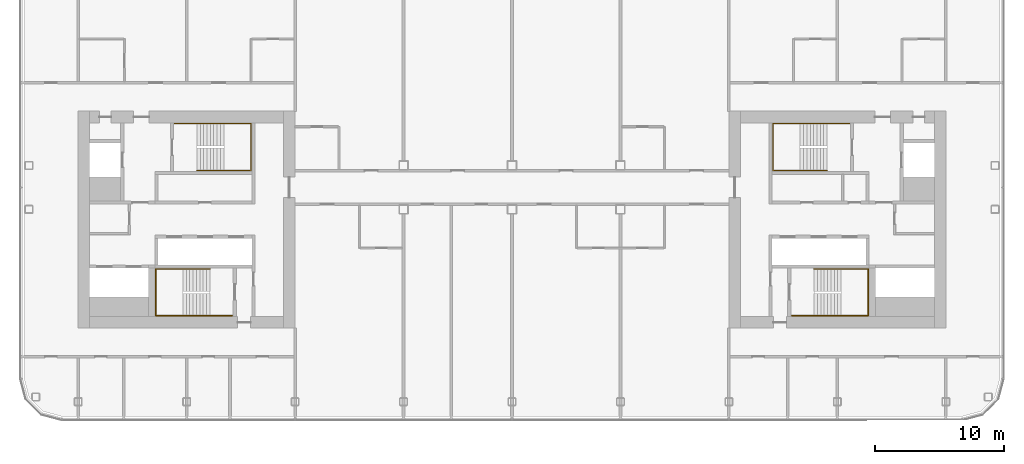
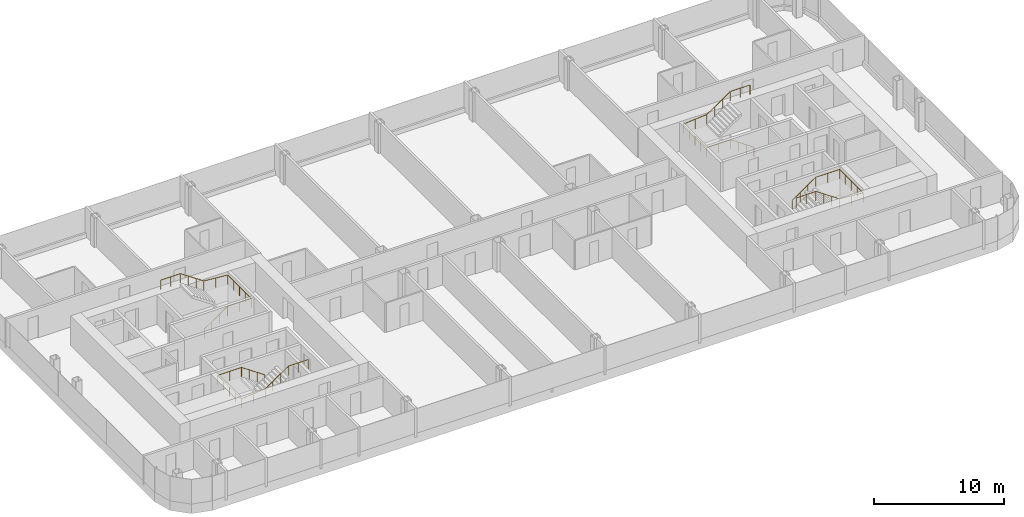
# One storey, part 25 of 25: 4 railings.
"""IFC4 building model written with IfcOpenShell, lengths in metres."""

import ifcopenshell
import ifcopenshell.guid

model = None  # the IFC model being written
_history = None  # IfcOwnerHistory: only IFC2X3 demands one
_inside = {}  # id of a spatial element -> (the spatial element, [elements in it])
_under = {}  # id of a project, library or spatial element -> (it, [spatial elements below it])
_declared = {}  # id of a project -> (the project, [libraries it declares])
_typed = {}  # id of a type object -> (the type object, [elements of that type])
_made_of = {}  # id of a material, layer set ... -> (it, [elements and type objects made of it])


def new_model(schema):
    """Start an empty IFC model of exactly this schema.

    Asked for "IFC4X3", IfcOpenShell would pick the latest addendum, in which some entities
    have other attributes; the version numbers below select the first issue.
    IFC2X3 requires an IfcOwnerHistory on every rooted entity: one is made here for all.
    """
    global model, _history
    if schema == "IFC4X3":
        model = ifcopenshell.file(schema_version=(4, 3, 0, 0))
    else:
        model = ifcopenshell.file(schema=schema)
    _inside.clear()
    _under.clear()
    _declared.clear()
    _typed.clear()
    _made_of.clear()
    _history = None
    if model.schema == "IFC2X3":
        org = make("IfcOrganization", Name="unknown")
        user = make(
            "IfcPersonAndOrganization",
            ThePerson=make("IfcPerson", FamilyName="unknown"),
            TheOrganization=org,
        )
        app = make(
            "IfcApplication",
            ApplicationDeveloper=org,
            Version="unknown",
            ApplicationFullName="unknown",
            ApplicationIdentifier="unknown",
        )
        _history = make(
            "IfcOwnerHistory",
            OwningUser=user,
            OwningApplication=app,
            ChangeAction="ADDED",
            CreationDate=0,
        )
    return model


def make(cls, **values):
    """One entity of the class cls with the attributes given. An attribute that is None is left unset."""
    return model.create_entity(
        cls, **{name: value for name, value in values.items() if value is not None}
    )


def rooted(cls, **values):
    """An entity with a GlobalId (a new one), such as an element, a storey or a relation."""
    return make(cls, GlobalId=ifcopenshell.guid.new(), OwnerHistory=_history, **values)


def si_unit(unit_type, name, prefix=None):
    """IfcSIUnit, for example si_unit("LENGTHUNIT", "METRE", prefix="MILLI")."""
    return make("IfcSIUnit", UnitType=unit_type, Prefix=prefix, Name=name)


def assignment(units):
    """IfcUnitAssignment: the units of a project."""
    return None if units is None else make("IfcUnitAssignment", Units=units)


def point(xyz):
    """IfcCartesianPoint."""
    return None if xyz is None else make("IfcCartesianPoint", Coordinates=xyz)


def direction(xyz):
    """IfcDirection."""
    return None if xyz is None else make("IfcDirection", DirectionRatios=xyz)


def frame(location, z_axis=None, x_axis=None):
    """IfcAxis2Placement3D, a coordinate frame: its origin and axes. An axis left out is left unset."""
    return make(
        "IfcAxis2Placement3D",
        Location=point(location),
        Axis=direction(z_axis),
        RefDirection=direction(x_axis),
    )


def frame_2d(location, x_axis=None):
    """IfcAxis2Placement2D, a coordinate frame in the plane: its origin and x axis."""
    return make(
        "IfcAxis2Placement2D", Location=point(location), RefDirection=direction(x_axis)
    )


def origin():
    """The frame at (0, 0, 0) with its axes left unset."""
    return frame((0.0, 0.0, 0.0))


def origin_2d():
    """The frame at (0, 0) in the plane with its x axis left unset."""
    return frame_2d((0.0, 0.0))


def place(relative_to, where):
    """IfcLocalPlacement: puts the frame where relative to a parent placement (None: the world)."""
    return make(
        "IfcLocalPlacement", PlacementRelTo=relative_to, RelativePlacement=where
    )


def context(
    kind, dimensions, precision=None, world=None, true_north=None, identifier=None
):
    """IfcGeometricRepresentationContext, for example the 3D "Model" context."""
    return make(
        "IfcGeometricRepresentationContext",
        ContextIdentifier=identifier,
        ContextType=kind,
        CoordinateSpaceDimension=dimensions,
        Precision=precision,
        WorldCoordinateSystem=world,
        TrueNorth=true_north,
    )


def subcontext(parent, identifier, kind, view, scale=None):
    """IfcGeometricRepresentationSubContext, for example "Body" below "Model"."""
    return make(
        "IfcGeometricRepresentationSubContext",
        ContextIdentifier=identifier,
        ContextType=kind,
        ParentContext=parent,
        TargetScale=scale,
        TargetView=view,
    )


def project(units=None, contexts=None):
    """IfcProject with its units and contexts."""
    return rooted(
        "IfcProject",
        Name="project",
        RepresentationContexts=contexts,
        UnitsInContext=assignment(units),
    )


def spatial(cls, under=None, at=None, **own):
    """A site, building, storey or space (cls), placed at a placement, below another one or the project."""
    s = rooted(cls, ObjectPlacement=at, **own)
    if under is not None:
        _under.setdefault(under.id(), (under, []))[1].append(s)
    return s


def profile(cls, at=None, kind="AREA", **sizes):
    """A parametric profile (cls). Its sizes go by their IFC names, for example OverallWidth=200.0."""
    return make(cls, ProfileType=kind, Position=at, **sizes)


def circle(**sizes):
    """IfcCircleProfileDef."""
    return profile("IfcCircleProfileDef", **sizes)


def extrude(swept, where, along, depth):
    """IfcExtrudedAreaSolid: the profile swept, set in the frame where, extruded along a direction by depth."""
    return make(
        "IfcExtrudedAreaSolid",
        SweptArea=swept,
        Position=where,
        ExtrudedDirection=direction(along),
        Depth=depth,
    )


def shape(context_of_items, identifier, shape_type, items):
    """IfcShapeRepresentation: the items that make up one representation, for example the "Body"."""
    return make(
        "IfcShapeRepresentation",
        ContextOfItems=context_of_items,
        RepresentationIdentifier=identifier,
        RepresentationType=shape_type,
        Items=items,
    )


def material(Name=None, Category=None):
    """IfcMaterial."""
    return make("IfcMaterial", Name=Name, Category=Category)


def made_of(thing, what):
    """Note that an element or type object is made of a material, layer set ...; save() writes the relation."""
    if what is not None:
        _made_of.setdefault(what.id(), (what, []))[1].append(thing)
    return thing


def type_object(cls, material=None, **own):
    """A type object (cls), such as IfcWallType, which elements share."""
    return made_of(rooted(cls, **own), material)


def element(
    cls,
    number,
    at=None,
    inside=None,
    cuts=None,
    type_object=None,
    material=None,
    context=None,
    identifier="Body",
    shape_type=None,
    held_by="IfcProductDefinitionShape",
    body=None,
    shapes=None,
    **own,
):
    """One element of the class cls, such as IfcWall. Its Tag is "e" and its number.

    at: its placement. inside: the storey or other place that contains it. cuts: it is an
    opening in that element (IfcRelVoidsElement). A single representation is given by context,
    identifier, shape_type and body (its items); several are given by shapes. held_by: the class
    of the entity that holds the representations. save() writes the other relations.
    """
    e = rooted(cls, Tag="e%d" % number, ObjectPlacement=at, **own)
    if body is not None:
        shapes = [shape(context, identifier, shape_type, body)]
    if shapes is not None:
        e.Representation = make(held_by, Representations=shapes)
    if inside is not None:
        _inside.setdefault(inside.id(), (inside, []))[1].append(e)
    if cuts is not None:
        rooted(
            "IfcRelVoidsElement", RelatingBuildingElement=cuts, RelatedOpeningElement=e
        )
    if type_object is not None:
        _typed.setdefault(type_object.id(), (type_object, []))[1].append(e)
    return made_of(e, material)


def aggregate(whole, parts):
    """IfcRelAggregates: a whole, such as a stair, and the parts it consists of."""
    return rooted("IfcRelAggregates", RelatingObject=whole, RelatedObjects=parts)


def save(model, path):
    """Write the relations noted so far, then the file.

    IfcRelAggregates (storeys below a building ...), IfcRelContainedInSpatialStructure (elements
    in a storey), IfcRelDefinesByType, IfcRelAssociatesMaterial and IfcRelDeclares: one each for
    every whole, place, type object, material and project.
    """
    for whole, parts in _under.values():
        aggregate(whole, parts)
    for where, things in _inside.values():
        rooted(
            "IfcRelContainedInSpatialStructure",
            RelatedElements=things,
            RelatingStructure=where,
        )
    for kind, things in _typed.values():
        rooted("IfcRelDefinesByType", RelatedObjects=things, RelatingType=kind)
    for what, things in _made_of.values():
        rooted("IfcRelAssociatesMaterial", RelatedObjects=things, RelatingMaterial=what)
    for by, libraries in _declared.values():
        rooted("IfcRelDeclares", RelatingContext=by, RelatedDefinitions=libraries)
    model.write(path)


model = new_model("IFC4")

# Units and contexts
model_context = context("Model", 3, precision=1e-05, world=origin(), true_north=direction((0.0, 1.0)))
body_context = subcontext(model_context, "Body", "Model", "MODEL_VIEW")
ifc_project = project(units=[si_unit("LENGTHUNIT", "METRE"), si_unit("AREAUNIT", "SQUARE_METRE"), si_unit("VOLUMEUNIT", "CUBIC_METRE"), si_unit("PLANEANGLEUNIT", "RADIAN"), si_unit("MASSUNIT", "GRAM", prefix="KILO")], contexts=[model_context])

# Site, building, storey
site_placement = place(None, origin())
site = spatial("IfcSite", under=ifc_project, at=site_placement, CompositionType="ELEMENT")
building_placement = place(site_placement, origin())
building = spatial("IfcBuilding", under=site, at=building_placement, Name="Hakoniwa Tower and Hamabe Station Hall", CompositionType="ELEMENT")
storey_placement = place(building_placement, frame((0.0, 0.0, 202.60009765625)))
storey = spatial("IfcBuildingStorey", under=building, at=storey_placement, Name="L57", CompositionType="ELEMENT", Elevation=202.60009765625)

# Railings
ifc_material = material(Name="Stainless steel SUS304", Category="steel")
railing_type = type_object("IfcRailingType", Name="STAIR HANDRAIL 900", PredefinedType="HANDRAIL", material=ifc_material)
railing_1_placement = place(storey_placement, frame((-24.39990234375, 3.81005859375, 0.177734375)))
element("IfcRailing", 1, at=railing_1_placement, inside=storey, type_object=railing_type, Name="Handrail ST-1 L57 1", PredefinedType="HANDRAIL", context=body_context, shape_type="SweptSolid", body=[
    extrude(circle(Radius=0.02392578125, at=origin_2d()), frame((0.0, 0.0, 0.8759765625), z_axis=(0.825478349766, 0.0, 0.564433781827), x_axis=(0.0, 1.0, 0.0)), (0.0, 0.0, 1.0), 2.51953125),
    extrude(circle(Radius=0.02392578125, at=origin_2d()), frame((2.079833984375, 0.0, 2.2978515625), z_axis=(1.0, 0.0, 0.0), x_axis=(0.0, 1.0, 0.0)), (0.0, 0.0, 1.0), 2.110107421875),
    extrude(circle(Radius=0.02392578125, at=origin_2d()), frame((4.18994140625, 0.0, 2.2978515625), z_axis=(0.0, 1.0, 0.0), x_axis=(-1.0, 0.0, 0.0)), (0.0, 0.0, 1.0), 3.6298828125),
    extrude(circle(Radius=0.02392578125, at=origin_2d()), frame((4.18994140625, 3.6298828125, 2.2978515625), z_axis=(-0.996471417081, 0.0, 0.083932800143), x_axis=(0.0, -1.0, 0.0)), (0.0, 0.0, 1.0), 2.11767578125),
    extrude(circle(Radius=0.02392578125, at=origin_2d()), frame((2.079833984375, 3.6298828125, 2.4755859375), z_axis=(-0.825433201882, 0.0, 0.564499804456), x_axis=(0.0, -1.0, 0.0)), (0.0, 0.0, 1.0), 2.519775390625),
    extrude(circle(Radius=0.02392578125, at=origin_2d()), frame((0.0, 3.6298828125, 3.89794921875), z_axis=(-1.0, 0.0, 0.0), x_axis=(0.0, -1.0, 0.0)), (0.0, 0.0, 1.0), 1.739990234375),
    extrude(circle(Radius=0.02099609375, at=origin_2d()), origin(), (0.0, 0.0, 1.0), 0.851806640625),
    extrude(circle(Radius=0.02099609375, at=origin_2d()), frame((0.693359375, 0.0, 0.47412109375)), (0.0, 0.0, 1.0), 0.851806640625),
    extrude(circle(Radius=0.02099609375, at=origin_2d()), frame((1.386474609375, 0.0, 0.947998046875)), (0.0, 0.0, 1.0), 0.851806640625),
    extrude(circle(Radius=0.02099609375, at=origin_2d()), frame((2.079833984375, 0.0, 1.422119140625)), (0.0, 0.0, 1.0), 0.851806640625),
    extrude(circle(Radius=0.02099609375, at=origin_2d()), frame((3.134765625, 0.0, 1.422119140625)), (0.0, 0.0, 1.0), 0.851806640625),
    extrude(circle(Radius=0.02099609375, at=origin_2d()), frame((4.18994140625, 0.0, 1.422119140625)), (0.0, 0.0, 1.0), 0.851806640625),
    extrude(circle(Radius=0.02099609375, at=origin_2d()), frame((4.18994140625, 0.907470703125, 1.422119140625)), (0.0, 0.0, 1.0), 0.851806640625),
    extrude(circle(Radius=0.02099609375, at=origin_2d()), frame((4.18994140625, 1.81494140625, 1.422119140625)), (0.0, 0.0, 1.0), 0.851806640625),
    extrude(circle(Radius=0.02099609375, at=origin_2d()), frame((4.18994140625, 2.722412109375, 1.422119140625)), (0.0, 0.0, 1.0), 0.851806640625),
    extrude(circle(Radius=0.02099609375, at=origin_2d()), frame((4.18994140625, 3.6298828125, 1.422119140625)), (0.0, 0.0, 1.0), 0.851806640625),
    extrude(circle(Radius=0.02099609375, at=origin_2d()), frame((3.134765625, 3.6298828125, 1.510986328125)), (0.0, 0.0, 1.0), 0.851806640625),
    extrude(circle(Radius=0.02099609375, at=origin_2d()), frame((2.079833984375, 3.6298828125, 1.599853515625)), (0.0, 0.0, 1.0), 0.851806640625),
    extrude(circle(Radius=0.02099609375, at=origin_2d()), frame((1.386474609375, 3.6298828125, 2.073974609375)), (0.0, 0.0, 1.0), 0.851806640625),
    extrude(circle(Radius=0.02099609375, at=origin_2d()), frame((0.693359375, 3.6298828125, 2.548095703125)), (0.0, 0.0, 1.0), 0.851806640625),
    extrude(circle(Radius=0.02099609375, at=origin_2d()), frame((0.0, 3.6298828125, 3.022216796875)), (0.0, 0.0, 1.0), 0.851806640625),
    extrude(circle(Radius=0.02099609375, at=origin_2d()), frame((-0.8701171875, 3.6298828125, 3.022216796875)), (0.0, 0.0, 1.0), 0.851806640625),
    extrude(circle(Radius=0.02099609375, at=origin_2d()), frame((-1.739990234375, 3.6298828125, 3.022216796875)), (0.0, 0.0, 1.0), 0.851806640625),
])
railing_2_placement = place(storey_placement, frame((-23.39990234375, -3.81005859375, 0.177734375)))
element("IfcRailing", 2, at=railing_2_placement, inside=storey, type_object=railing_type, Name="Handrail ST-2 L57 1", PredefinedType="HANDRAIL", context=body_context, shape_type="SweptSolid", body=[
    extrude(circle(Radius=0.02392578125, at=origin_2d()), frame((0.0, 0.0, 0.8759765625), z_axis=(-0.82550921652, 0.0, 0.564388636881), x_axis=(0.0, -1.0, 0.0)), (0.0, 0.0, 1.0), 2.519775390625),
    extrude(circle(Radius=0.02392578125, at=origin_2d()), frame((-2.080078125, 0.0, 2.2978515625), z_axis=(-1.0, 0.0, 0.0), x_axis=(0.0, -1.0, 0.0)), (0.0, 0.0, 1.0), 2.110107421875),
    extrude(circle(Radius=0.02392578125, at=origin_2d()), frame((-4.190185546875, 0.0, 2.2978515625), z_axis=(0.0, -1.0, 0.0), x_axis=(1.0, 0.0, 0.0)), (0.0, 0.0, 1.0), 3.6298828125),
    extrude(circle(Radius=0.02392578125, at=origin_2d()), frame((-4.190185546875, -3.6298828125, 2.2978515625), z_axis=(0.996471417081, 0.0, 0.083932800143), x_axis=(0.0, 1.0, 0.0)), (0.0, 0.0, 1.0), 2.11767578125),
    extrude(circle(Radius=0.02392578125, at=origin_2d()), frame((-2.080078125, -3.6298828125, 2.4755859375), z_axis=(0.825464074169, 0.0, 0.564454659168), x_axis=(0.0, 1.0, 0.0)), (0.0, 0.0, 1.0), 2.519775390625),
    extrude(circle(Radius=0.02392578125, at=origin_2d()), frame((0.0, -3.6298828125, 3.89794921875), z_axis=(1.0, 0.0, 0.0), x_axis=(0.0, 1.0, 0.0)), (0.0, 0.0, 1.0), 1.739990234375),
    extrude(circle(Radius=0.02099609375, at=origin_2d()), origin(), (0.0, 0.0, 1.0), 0.851806640625),
    extrude(circle(Radius=0.02099609375, at=origin_2d()), frame((-0.693359375, 0.0, 0.47412109375)), (0.0, 0.0, 1.0), 0.851806640625),
    extrude(circle(Radius=0.02099609375, at=origin_2d()), frame((-1.38671875, 0.0, 0.947998046875)), (0.0, 0.0, 1.0), 0.851806640625),
    extrude(circle(Radius=0.02099609375, at=origin_2d()), frame((-2.080078125, 0.0, 1.422119140625)), (0.0, 0.0, 1.0), 0.851806640625),
    extrude(circle(Radius=0.02099609375, at=origin_2d()), frame((-3.13525390625, 0.0, 1.422119140625)), (0.0, 0.0, 1.0), 0.851806640625),
    extrude(circle(Radius=0.02099609375, at=origin_2d()), frame((-4.190185546875, 0.0, 1.422119140625)), (0.0, 0.0, 1.0), 0.851806640625),
    extrude(circle(Radius=0.02099609375, at=origin_2d()), frame((-4.190185546875, -0.907470703125, 1.422119140625)), (0.0, 0.0, 1.0), 0.851806640625),
    extrude(circle(Radius=0.02099609375, at=origin_2d()), frame((-4.190185546875, -1.81494140625, 1.422119140625)), (0.0, 0.0, 1.0), 0.851806640625),
    extrude(circle(Radius=0.02099609375, at=origin_2d()), frame((-4.190185546875, -2.722412109375, 1.422119140625)), (0.0, 0.0, 1.0), 0.851806640625),
    extrude(circle(Radius=0.02099609375, at=origin_2d()), frame((-4.190185546875, -3.6298828125, 1.422119140625)), (0.0, 0.0, 1.0), 0.851806640625),
    extrude(circle(Radius=0.02099609375, at=origin_2d()), frame((-3.13525390625, -3.6298828125, 1.510986328125)), (0.0, 0.0, 1.0), 0.851806640625),
    extrude(circle(Radius=0.02099609375, at=origin_2d()), frame((-2.080078125, -3.6298828125, 1.599853515625)), (0.0, 0.0, 1.0), 0.851806640625),
    extrude(circle(Radius=0.02099609375, at=origin_2d()), frame((-1.38671875, -3.6298828125, 2.073974609375)), (0.0, 0.0, 1.0), 0.851806640625),
    extrude(circle(Radius=0.02099609375, at=origin_2d()), frame((-0.693359375, -3.6298828125, 2.548095703125)), (0.0, 0.0, 1.0), 0.851806640625),
    extrude(circle(Radius=0.02099609375, at=origin_2d()), frame((0.0, -3.6298828125, 3.022216796875)), (0.0, 0.0, 1.0), 0.851806640625),
    extrude(circle(Radius=0.02099609375, at=origin_2d()), frame((0.8701171875, -3.6298828125, 3.022216796875)), (0.0, 0.0, 1.0), 0.851806640625),
    extrude(circle(Radius=0.02099609375, at=origin_2d()), frame((1.739990234375, -3.6298828125, 3.022216796875)), (0.0, 0.0, 1.0), 0.851806640625),
])
railing_3_placement = place(storey_placement, frame((24.39990234375, 3.81005859375, 0.177734375)))
element("IfcRailing", 3, at=railing_3_placement, inside=storey, type_object=railing_type, Name="Handrail ST-3 L57 1", PredefinedType="HANDRAIL", context=body_context, shape_type="SweptSolid", body=[
    extrude(circle(Radius=0.02392578125, at=origin_2d()), frame((0.0, 0.0, 0.8759765625), z_axis=(-0.825478349766, 0.0, 0.564433781827), x_axis=(0.0, -1.0, 0.0)), (0.0, 0.0, 1.0), 2.51953125),
    extrude(circle(Radius=0.02392578125, at=origin_2d()), frame((-2.079833984375, 0.0, 2.2978515625), z_axis=(-1.0, 0.0, 0.0), x_axis=(0.0, -1.0, 0.0)), (0.0, 0.0, 1.0), 2.110107421875),
    extrude(circle(Radius=0.02392578125, at=origin_2d()), frame((-4.18994140625, 0.0, 2.2978515625), z_axis=(0.0, 1.0, 0.0), x_axis=(-1.0, 0.0, 0.0)), (0.0, 0.0, 1.0), 3.6298828125),
    extrude(circle(Radius=0.02392578125, at=origin_2d()), frame((-4.18994140625, 3.6298828125, 2.2978515625), z_axis=(0.996471417081, 0.0, 0.083932800143), x_axis=(0.0, 1.0, 0.0)), (0.0, 0.0, 1.0), 2.11767578125),
    extrude(circle(Radius=0.02392578125, at=origin_2d()), frame((-2.079833984375, 3.6298828125, 2.4755859375), z_axis=(0.825433201882, 0.0, 0.564499804456), x_axis=(0.0, 1.0, 0.0)), (0.0, 0.0, 1.0), 2.519775390625),
    extrude(circle(Radius=0.02392578125, at=origin_2d()), frame((0.0, 3.6298828125, 3.89794921875), z_axis=(1.0, 0.0, 0.0), x_axis=(0.0, 1.0, 0.0)), (0.0, 0.0, 1.0), 1.739990234375),
    extrude(circle(Radius=0.02099609375, at=origin_2d()), origin(), (0.0, 0.0, 1.0), 0.851806640625),
    extrude(circle(Radius=0.02099609375, at=origin_2d()), frame((-0.693359375, 0.0, 0.47412109375)), (0.0, 0.0, 1.0), 0.851806640625),
    extrude(circle(Radius=0.02099609375, at=origin_2d()), frame((-1.386474609375, 0.0, 0.947998046875)), (0.0, 0.0, 1.0), 0.851806640625),
    extrude(circle(Radius=0.02099609375, at=origin_2d()), frame((-2.079833984375, 0.0, 1.422119140625)), (0.0, 0.0, 1.0), 0.851806640625),
    extrude(circle(Radius=0.02099609375, at=origin_2d()), frame((-3.134765625, 0.0, 1.422119140625)), (0.0, 0.0, 1.0), 0.851806640625),
    extrude(circle(Radius=0.02099609375, at=origin_2d()), frame((-4.18994140625, 0.0, 1.422119140625)), (0.0, 0.0, 1.0), 0.851806640625),
    extrude(circle(Radius=0.02099609375, at=origin_2d()), frame((-4.18994140625, 0.907470703125, 1.422119140625)), (0.0, 0.0, 1.0), 0.851806640625),
    extrude(circle(Radius=0.02099609375, at=origin_2d()), frame((-4.18994140625, 1.81494140625, 1.422119140625)), (0.0, 0.0, 1.0), 0.851806640625),
    extrude(circle(Radius=0.02099609375, at=origin_2d()), frame((-4.18994140625, 2.722412109375, 1.422119140625)), (0.0, 0.0, 1.0), 0.851806640625),
    extrude(circle(Radius=0.02099609375, at=origin_2d()), frame((-4.18994140625, 3.6298828125, 1.422119140625)), (0.0, 0.0, 1.0), 0.851806640625),
    extrude(circle(Radius=0.02099609375, at=origin_2d()), frame((-3.134765625, 3.6298828125, 1.510986328125)), (0.0, 0.0, 1.0), 0.851806640625),
    extrude(circle(Radius=0.02099609375, at=origin_2d()), frame((-2.079833984375, 3.6298828125, 1.599853515625)), (0.0, 0.0, 1.0), 0.851806640625),
    extrude(circle(Radius=0.02099609375, at=origin_2d()), frame((-1.386474609375, 3.6298828125, 2.073974609375)), (0.0, 0.0, 1.0), 0.851806640625),
    extrude(circle(Radius=0.02099609375, at=origin_2d()), frame((-0.693359375, 3.6298828125, 2.548095703125)), (0.0, 0.0, 1.0), 0.851806640625),
    extrude(circle(Radius=0.02099609375, at=origin_2d()), frame((0.0, 3.6298828125, 3.022216796875)), (0.0, 0.0, 1.0), 0.851806640625),
    extrude(circle(Radius=0.02099609375, at=origin_2d()), frame((0.8701171875, 3.6298828125, 3.022216796875)), (0.0, 0.0, 1.0), 0.851806640625),
    extrude(circle(Radius=0.02099609375, at=origin_2d()), frame((1.739990234375, 3.6298828125, 3.022216796875)), (0.0, 0.0, 1.0), 0.851806640625),
])
railing_4_placement = place(storey_placement, frame((23.39990234375, -3.81005859375, 0.177734375)))
element("IfcRailing", 4, at=railing_4_placement, inside=storey, type_object=railing_type, Name="Handrail ST-4 L57 1", PredefinedType="HANDRAIL", context=body_context, shape_type="SweptSolid", body=[
    extrude(circle(Radius=0.02392578125, at=origin_2d()), frame((0.0, 0.0, 0.8759765625), z_axis=(0.82550921652, 0.0, 0.564388636881), x_axis=(0.0, 1.0, 0.0)), (0.0, 0.0, 1.0), 2.519775390625),
    extrude(circle(Radius=0.02392578125, at=origin_2d()), frame((2.080078125, 0.0, 2.2978515625), z_axis=(1.0, 0.0, 0.0), x_axis=(0.0, 1.0, 0.0)), (0.0, 0.0, 1.0), 2.110107421875),
    extrude(circle(Radius=0.02392578125, at=origin_2d()), frame((4.190185546875, 0.0, 2.2978515625), z_axis=(0.0, -1.0, 0.0), x_axis=(1.0, 0.0, 0.0)), (0.0, 0.0, 1.0), 3.6298828125),
    extrude(circle(Radius=0.02392578125, at=origin_2d()), frame((4.190185546875, -3.6298828125, 2.2978515625), z_axis=(-0.996471417081, 0.0, 0.083932800143), x_axis=(0.0, -1.0, 0.0)), (0.0, 0.0, 1.0), 2.11767578125),
    extrude(circle(Radius=0.02392578125, at=origin_2d()), frame((2.080078125, -3.6298828125, 2.4755859375), z_axis=(-0.825464074169, 0.0, 0.564454659168), x_axis=(0.0, -1.0, 0.0)), (0.0, 0.0, 1.0), 2.519775390625),
    extrude(circle(Radius=0.02392578125, at=origin_2d()), frame((0.0, -3.6298828125, 3.89794921875), z_axis=(-1.0, 0.0, 0.0), x_axis=(0.0, -1.0, 0.0)), (0.0, 0.0, 1.0), 1.739990234375),
    extrude(circle(Radius=0.02099609375, at=origin_2d()), origin(), (0.0, 0.0, 1.0), 0.851806640625),
    extrude(circle(Radius=0.02099609375, at=origin_2d()), frame((0.693359375, 0.0, 0.47412109375)), (0.0, 0.0, 1.0), 0.851806640625),
    extrude(circle(Radius=0.02099609375, at=origin_2d()), frame((1.38671875, 0.0, 0.947998046875)), (0.0, 0.0, 1.0), 0.851806640625),
    extrude(circle(Radius=0.02099609375, at=origin_2d()), frame((2.080078125, 0.0, 1.422119140625)), (0.0, 0.0, 1.0), 0.851806640625),
    extrude(circle(Radius=0.02099609375, at=origin_2d()), frame((3.13525390625, 0.0, 1.422119140625)), (0.0, 0.0, 1.0), 0.851806640625),
    extrude(circle(Radius=0.02099609375, at=origin_2d()), frame((4.190185546875, 0.0, 1.422119140625)), (0.0, 0.0, 1.0), 0.851806640625),
    extrude(circle(Radius=0.02099609375, at=origin_2d()), frame((4.190185546875, -0.907470703125, 1.422119140625)), (0.0, 0.0, 1.0), 0.851806640625),
    extrude(circle(Radius=0.02099609375, at=origin_2d()), frame((4.190185546875, -1.81494140625, 1.422119140625)), (0.0, 0.0, 1.0), 0.851806640625),
    extrude(circle(Radius=0.02099609375, at=origin_2d()), frame((4.190185546875, -2.722412109375, 1.422119140625)), (0.0, 0.0, 1.0), 0.851806640625),
    extrude(circle(Radius=0.02099609375, at=origin_2d()), frame((4.190185546875, -3.6298828125, 1.422119140625)), (0.0, 0.0, 1.0), 0.851806640625),
    extrude(circle(Radius=0.02099609375, at=origin_2d()), frame((3.13525390625, -3.6298828125, 1.510986328125)), (0.0, 0.0, 1.0), 0.851806640625),
    extrude(circle(Radius=0.02099609375, at=origin_2d()), frame((2.080078125, -3.6298828125, 1.599853515625)), (0.0, 0.0, 1.0), 0.851806640625),
    extrude(circle(Radius=0.02099609375, at=origin_2d()), frame((1.38671875, -3.6298828125, 2.073974609375)), (0.0, 0.0, 1.0), 0.851806640625),
    extrude(circle(Radius=0.02099609375, at=origin_2d()), frame((0.693359375, -3.6298828125, 2.548095703125)), (0.0, 0.0, 1.0), 0.851806640625),
    extrude(circle(Radius=0.02099609375, at=origin_2d()), frame((0.0, -3.6298828125, 3.022216796875)), (0.0, 0.0, 1.0), 0.851806640625),
    extrude(circle(Radius=0.02099609375, at=origin_2d()), frame((-0.8701171875, -3.6298828125, 3.022216796875)), (0.0, 0.0, 1.0), 0.851806640625),
    extrude(circle(Radius=0.02099609375, at=origin_2d()), frame((-1.739990234375, -3.6298828125, 3.022216796875)), (0.0, 0.0, 1.0), 0.851806640625),
])

save(model, "model.ifc")
